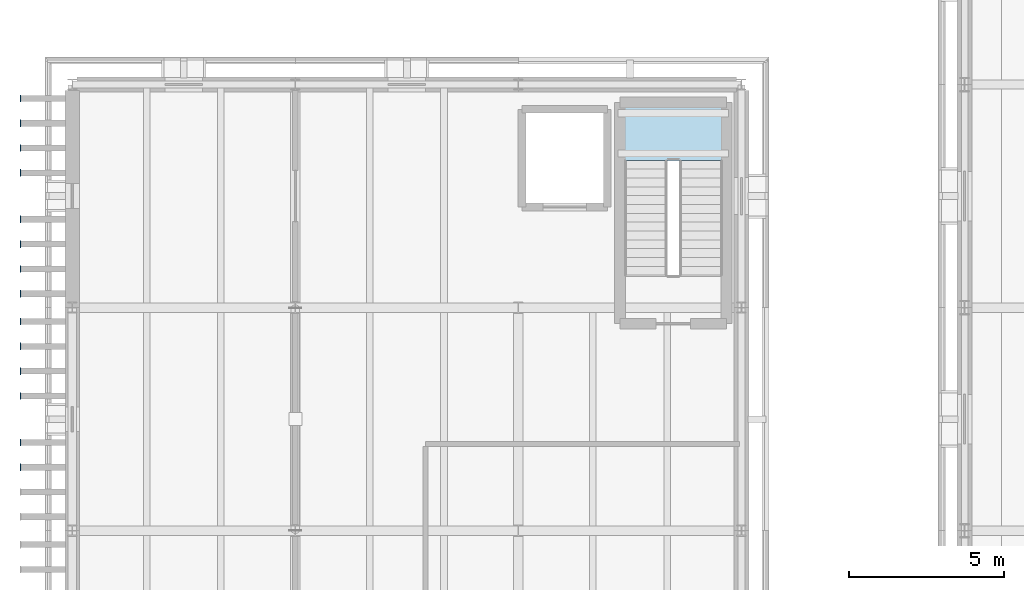
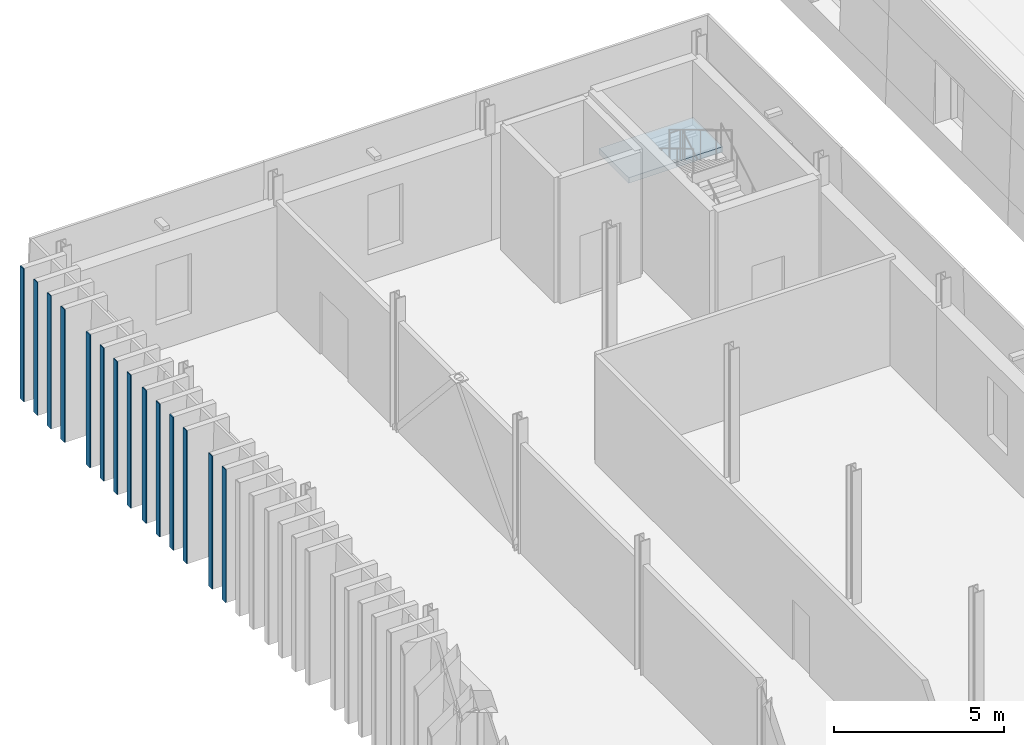
# One storey, part 64 of 121: 14 plates, 1 slab, 1 element without a shape of its own.
"""IFC4 building model written with IfcOpenShell, lengths in metres."""

from ifc_helpers import new_model, si_unit, direction, frame, origin, origin_2d, place, context, subcontext, project, spatial, polyline, rectangle, outline, extrude, material, layer, layer_set, type_object, element, aggregate, save


model = new_model("IFC4")

# Units and contexts
model_context = context("Model", 3, precision=1e-05, world=origin(), true_north=direction((0.0, 1.0)))
body_context = subcontext(model_context, "Body", "Model", "MODEL_VIEW")
ifc_project = project(units=[si_unit("LENGTHUNIT", "METRE"), si_unit("AREAUNIT", "SQUARE_METRE"), si_unit("VOLUMEUNIT", "CUBIC_METRE"), si_unit("PLANEANGLEUNIT", "RADIAN"), si_unit("MASSUNIT", "GRAM", prefix="KILO")], contexts=[model_context])

# Site, building, storey
site_placement = place(None, origin())
site = spatial("IfcSite", under=ifc_project, at=site_placement, CompositionType="ELEMENT")
building_placement = place(site_placement, origin())
building = spatial("IfcBuilding", under=site, at=building_placement, Name="Narikvali Park Central Library", CompositionType="ELEMENT")
storey_placement = place(building_placement, frame((0.0, 0.0, 5.39990234375)))
storey = spatial("IfcBuildingStorey", under=building, at=storey_placement, Name="L01", CompositionType="ELEMENT", Elevation=5.39990234375)

# Stair, slab
ifc_material_1 = material(Name="Concrete C35/45", Category="concrete")
stair_type = type_object("IfcStairType", Name="Core Enclosed Two-Flight Exit Stair", PredefinedType="HALF_TURN_STAIR", material=ifc_material_1)
stair_placement = place(storey_placement, origin())
stair = element("IfcStair", 1, at=stair_placement, inside=storey, type_object=stair_type, Name="L01 Exit Stair ST-10", PredefinedType="HALF_TURN_STAIR")
ifc_layer_1 = layer(ifc_material_1, 0.199951171875, Name="Concrete C35/45")
ifc_layer_set_1 = layer_set([ifc_layer_1], Name="Concrete C35/45")
slab_type = type_object("IfcSlabType", Name="Stair Half-Landing Concrete Slab 200", PredefinedType="LANDING", material=ifc_layer_set_1)
slab_placement = place(storey_placement, frame((0.0, 0.0, 2.2001953125)))
slab = element("IfcSlab", 2, at=slab_placement, type_object=slab_type, Name="ST-10 landing 1", PredefinedType="LANDING", context=body_context, shape_type="SweptSolid", body=[
    extrude(outline(polyline([(21.0, 105.554931640625), (21.0, 107.300048828125), (17.800048828125, 107.300048828125), (17.800048828125, 105.554931640625), (21.0, 105.554931640625)])), origin(), (0.0, 0.0, 1.0), 0.199951171875),
])
aggregate(stair, [slab])

# Plates
ifc_material_2 = material(Name="Anodised Bronze Aluminium", Category="aluminium")
ifc_layer_2 = layer(ifc_material_2, 0.028076171875, Name="Anodised Bronze Aluminium")
ifc_layer_set_2 = layer_set([ifc_layer_2], Name="Anodised Bronze Aluminium")
plate_type = type_object("IfcPlateType", Name="Vertical Brick Fin Bronze Bullnose Cap 28", PredefinedType="SHEET", material=ifc_layer_set_2)
for number, where, z_axis, x_axis, name in (
    (3, (-1.672119140625, 95.64990234375, 0.01025390625), (0.0, 0.0, 1.0), (1.0, 0.0, 0.0), "West Stacks Fin Bullnose Trim 422"),
    (4, (-1.672119140625, 96.449951171875, 0.01025390625), (0.0, 0.0, 1.0), (1.0, 0.0, 0.0), "West Stacks Fin Bullnose Trim 428"),
    (5, (-1.672119140625, 97.949951171875, 0.01025390625), (0.0, 0.0, 1.0), (1.0, 0.0, 0.0), "West Stacks Fin Bullnose Trim 434"),
    (6, (-1.672119140625, 98.75, 0.01025390625), (0.0, 0.0, 1.0), (1.0, 0.0, 0.0), "West Stacks Fin Bullnose Trim 440"),
    (7, (-1.672119140625, 99.550048828125, 0.01025390625), (0.0, 0.0, 1.0), (1.0, 0.0, 0.0), "West Stacks Fin Bullnose Trim 446"),
    (8, (-1.672119140625, 100.35009765625, 0.01025390625), (0.0, 0.0, 1.0), (1.0, 0.0, 0.0), "West Stacks Fin Bullnose Trim 452"),
    (9, (-1.672119140625, 101.25, 0.01025390625), (0.0, 0.0, 1.0), (1.0, 0.0, 0.0), "West Stacks Fin Bullnose Trim 458"),
    (10, (-1.672119140625, 102.050048828125, 0.01025390625), (0.0, 0.0, 1.0), (1.0, 0.0, 0.0), "West Stacks Fin Bullnose Trim 464"),
    (11, (-1.672119140625, 102.85009765625, 0.01025390625), (0.0, 0.0, 1.0), (1.0, 0.0, 0.0), "West Stacks Fin Bullnose Trim 470"),
    (12, (-1.672119140625, 103.64990234375, 0.01025390625), (0.0, 0.0, 1.0), (1.0, 0.0, 0.0), "West Stacks Fin Bullnose Trim 476"),
    (13, (-1.672119140625, 105.14990234375, 0.01025390625), (0.0, 0.0, 1.0), (1.0, 0.0, 0.0), "West Stacks Fin Bullnose Trim 482"),
    (14, (-1.672119140625, 105.949951171875, 0.01025390625), (0.0, 0.0, 1.0), (1.0, 0.0, 0.0), "West Stacks Fin Bullnose Trim 488"),
    (15, (-1.672119140625, 106.75, 0.01025390625), (0.0, 0.0, 1.0), (1.0, 0.0, 0.0), "West Stacks Fin Bullnose Trim 494"),
    (16, (-1.672119140625, 107.550048828125, 0.01025390625), (0.0, 0.0, 1.0), (1.0, 0.0, 0.0), "West Stacks Fin Bullnose Trim 500"),
):
    element("IfcPlate", number, at=place(storey_placement, frame(where, z_axis=z_axis, x_axis=x_axis)), inside=storey, type_object=plate_type, Name=name, PredefinedType="SHEET", context=body_context, shape_type="SweptSolid", body=[
        extrude(rectangle(XDim=0.028076171875, YDim=0.219970703125, at=origin_2d()), origin(), (0.0, 0.0, 1.0), 4.780029296875),
    ])

save(model, "model.ifc")
